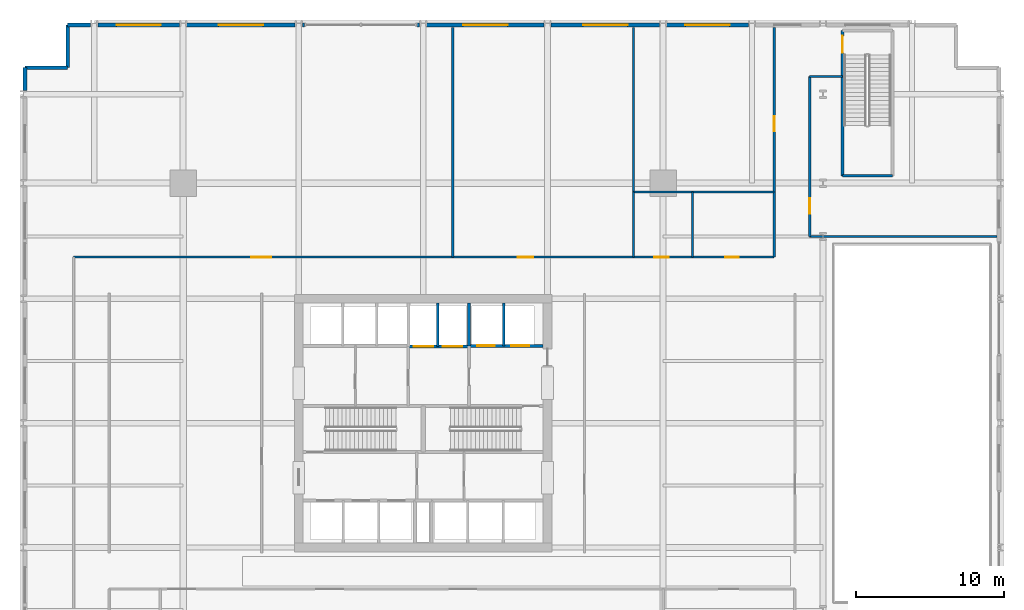
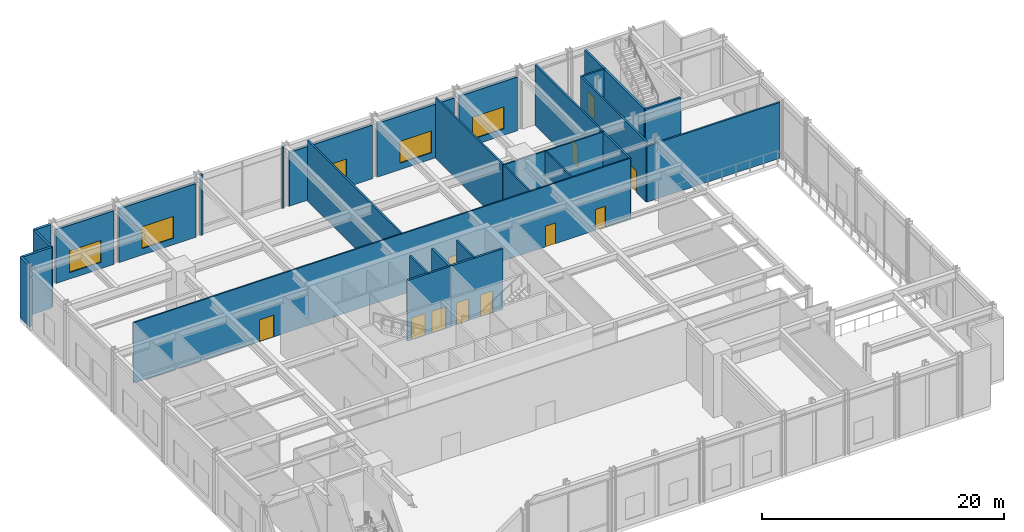
# One storey, part 13 of 20: 28 walls, 11 doors, 5 windows, 16 openings.
"""IFC4 building model written with IfcOpenShell, lengths in metres."""

from ifc_helpers import new_model, si_unit, direction, frame, frame_2d, origin, place, context, subcontext, project, spatial, rectangle, extrude, material, layer, layer_set, type_object, element, fill, save


model = new_model("IFC4")

# Units and contexts
model_context = context("Model", 3, precision=1e-05, world=origin(), true_north=direction((0.0, 1.0)))
body_context = subcontext(model_context, "Body", "Model", "MODEL_VIEW")
ifc_project = project(units=[si_unit("LENGTHUNIT", "METRE"), si_unit("AREAUNIT", "SQUARE_METRE"), si_unit("VOLUMEUNIT", "CUBIC_METRE"), si_unit("PLANEANGLEUNIT", "RADIAN"), si_unit("MASSUNIT", "GRAM", prefix="KILO")], contexts=[model_context])

# Site, building, storey
site_placement = place(None, origin())
site = spatial("IfcSite", under=ifc_project, at=site_placement, CompositionType="ELEMENT")
building_placement = place(site_placement, origin())
building = spatial("IfcBuilding", under=site, at=building_placement, Name="Drelvath Grand Hotel", CompositionType="ELEMENT")
storey_placement = place(building_placement, frame((0.0, 0.0, 10.800048828125)))
storey = spatial("IfcBuildingStorey", under=building, at=storey_placement, Name="L02", CompositionType="ELEMENT", Elevation=10.800048828125)

# Wall, openings, doors
ifc_material_1 = material(Name="Concrete C40/50", Category="concrete")
ifc_layer_1 = layer(ifc_material_1, 0.199951171875)
ifc_layer_set_1 = layer_set([ifc_layer_1], Name="Concrete C40/50")
wall_type_1 = type_object("IfcWallType", Name="Core Hoistway Fire Wall 200", PredefinedType="SOLIDWALL", material=ifc_layer_set_1)
wall_1_placement = place(storey_placement, frame((3.10009765625, 32.219970703125, 0.0), z_axis=(0.0, 0.0, 1.0), x_axis=(1.0, 0.0, 0.0)))
wall_1 = element("IfcWall", 1, at=wall_1_placement, inside=storey, type_object=wall_type_1, Name="L02 FSAE Hoistway Front Wall", PredefinedType="SOLIDWALL", context=body_context, shape_type="SweptSolid", body=[
    extrude(rectangle(XDim=5.0, YDim=0.199951171875, at=frame_2d((2.5, 0.0))), origin(), (0.0, 0.0, 1.0), 6.099853515625),
])
opening_1_placement = place(wall_1_placement, frame((0.550048828125, 0.0, 0.0)))
opening_1 = element("IfcOpeningElement", 2, at=opening_1_placement, cuts=wall_1, Name="Opening LD-FSAE-1", PredefinedType="OPENING", context=body_context, shape_type="SweptSolid", body=[
    extrude(rectangle(XDim=1.199951171875, YDim=2.199951171875, at=frame_2d((0.60009765625, 1.10009765625))), frame((0.0, 0.10986328125, 0.0), z_axis=(0.0, -1.0, 0.0), x_axis=(1.0, 0.0, 0.0)), (0.0, 0.0, 1.0), 0.219970703125),
])
opening_2_placement = place(wall_1_placement, frame((2.85009765625, 0.0, 0.0)))
opening_2 = element("IfcOpeningElement", 3, at=opening_2_placement, cuts=wall_1, Name="Opening LD-FSAE-2", PredefinedType="OPENING", context=body_context, shape_type="SweptSolid", body=[
    extrude(rectangle(XDim=1.199951171875, YDim=2.199951171875, at=frame_2d((0.60009765625, 1.10009765625))), frame((0.0, 0.10986328125, 0.0), z_axis=(0.0, -1.0, 0.0), x_axis=(1.0, 0.0, 0.0)), (0.0, 0.0, 1.0), 0.219970703125),
])
ifc_material_2 = material(Name="Stainless Steel S355", Category="steel")
door_type_1 = type_object("IfcDoorType", Name="FSAE Lift Sliding Landing Door 1200x2200", OperationType="NOTDEFINED", PredefinedType="DOOR", material=ifc_material_2)
door_1_placement = place(opening_1_placement, origin())
door_1 = element("IfcDoor", 4, at=door_1_placement, inside=storey, type_object=door_type_1, Name="L02 Lift FSAE-1 Landing Door", OperationType="SLIDING_TO_LEFT", OverallHeight=2.199951171875, OverallWidth=1.199951171875, PredefinedType="DOOR", context=body_context, shape_type="SweptSolid", body=[
    extrude(rectangle(XDim=1.199951171875, YDim=2.199951171875, at=frame_2d((0.60009765625, 1.10009765625))), frame((0.0, 0.02490234375, 0.0), z_axis=(0.0, -1.0, 0.0), x_axis=(1.0, 0.0, 0.0)), (0.0, 0.0, 1.0), 0.050048828125),
])
fill(opening_1, door_1)
door_2_placement = place(opening_2_placement, origin())
door_2 = element("IfcDoor", 5, at=door_2_placement, inside=storey, type_object=door_type_1, Name="L02 Lift FSAE-2 Landing Door", OperationType="SLIDING_TO_LEFT", OverallHeight=2.199951171875, OverallWidth=1.199951171875, PredefinedType="DOOR", context=body_context, shape_type="SweptSolid", body=[
    extrude(rectangle(XDim=1.199951171875, YDim=2.199951171875, at=frame_2d((0.60009765625, 1.10009765625))), frame((0.0, 0.02490234375, 0.0), z_axis=(0.0, -1.0, 0.0), x_axis=(1.0, 0.0, 0.0)), (0.0, 0.0, 1.0), 0.050048828125),
])
fill(opening_2, door_2)

# Wall
wall_2_placement = place(storey_placement, frame((3.10009765625, 32.219970703125, 0.0), z_axis=(0.0, 0.0, 1.0), x_axis=(0.0, 1.0, 0.0)))
element("IfcWall", 6, at=wall_2_placement, inside=storey, type_object=wall_type_1, Name="L02 FSAE Hoistway West Wall", PredefinedType="SOLIDWALL", context=body_context, shape_type="SweptSolid", body=[
    extrude(rectangle(XDim=2.880126953125, YDim=0.199951171875, at=frame_2d((1.43994140625, 0.0))), origin(), (0.0, 0.0, 1.0), 6.099853515625),
])

# Wall, openings, doors
wall_3_placement = place(storey_placement, frame((-1.0, 32.179931640625, 0.0), z_axis=(0.0, 0.0, 1.0), x_axis=(1.0, 0.0, 0.0)))
wall_3 = element("IfcWall", 7, at=wall_3_placement, inside=storey, type_object=wall_type_1, Name="L02 Service Lift Hoistway Wall", PredefinedType="SOLIDWALL", context=body_context, shape_type="SweptSolid", body=[
    extrude(rectangle(XDim=4.10009765625, YDim=0.199951171875, at=frame_2d((2.050048828125, 0.0))), origin(), (0.0, 0.0, 1.0), 6.099853515625),
])
opening_3_placement = place(wall_3_placement, frame((0.3701171875, 0.0, 0.0)))
opening_3 = element("IfcOpeningElement", 8, at=opening_3_placement, cuts=wall_3, Name="Opening LD-SV-2", PredefinedType="OPENING", context=body_context, shape_type="SweptSolid", body=[
    extrude(rectangle(XDim=1.300048828125, YDim=2.199951171875, at=frame_2d((0.64990234375, 1.10009765625))), frame((0.0, 0.10986328125, 0.0), z_axis=(0.0, -1.0, 0.0), x_axis=(1.0, 0.0, 0.0)), (0.0, 0.0, 1.0), 0.219970703125),
])
opening_4_placement = place(wall_3_placement, frame((2.330078125, 0.0, 0.0)))
opening_4 = element("IfcOpeningElement", 9, at=opening_4_placement, cuts=wall_3, Name="Opening LD-SV-1", PredefinedType="OPENING", context=body_context, shape_type="SweptSolid", body=[
    extrude(rectangle(XDim=1.300048828125, YDim=2.199951171875, at=frame_2d((0.64990234375, 1.10009765625))), frame((0.0, 0.10986328125, 0.0), z_axis=(0.0, -1.0, 0.0), x_axis=(1.0, 0.0, 0.0)), (0.0, 0.0, 1.0), 0.219970703125),
])
door_type_2 = type_object("IfcDoorType", Name="Service Lift Sliding Landing Door 1300x2200", OperationType="NOTDEFINED", PredefinedType="DOOR", material=ifc_material_2)
door_3_placement = place(opening_3_placement, origin())
door_3 = element("IfcDoor", 10, at=door_3_placement, inside=storey, type_object=door_type_2, Name="L02 Lift SV-2 Landing Door", OperationType="SLIDING_TO_LEFT", OverallHeight=2.199951171875, OverallWidth=1.300048828125, PredefinedType="DOOR", context=body_context, shape_type="SweptSolid", body=[
    extrude(rectangle(XDim=1.300048828125, YDim=2.199951171875, at=frame_2d((0.64990234375, 1.10009765625))), frame((0.0, 0.02490234375, 0.0), z_axis=(0.0, -1.0, 0.0), x_axis=(1.0, 0.0, 0.0)), (0.0, 0.0, 1.0), 0.050048828125),
])
fill(opening_3, door_3)
door_4_placement = place(opening_4_placement, origin())
door_4 = element("IfcDoor", 11, at=door_4_placement, inside=storey, type_object=door_type_2, Name="L02 Lift SV-1 Landing Door", OperationType="SLIDING_TO_LEFT", OverallHeight=2.199951171875, OverallWidth=1.300048828125, PredefinedType="DOOR", context=body_context, shape_type="SweptSolid", body=[
    extrude(rectangle(XDim=1.300048828125, YDim=2.199951171875, at=frame_2d((0.64990234375, 1.10009765625))), frame((0.0, 0.02490234375, 0.0), z_axis=(0.0, -1.0, 0.0), x_axis=(1.0, 0.0, 0.0)), (0.0, 0.0, 1.0), 0.050048828125),
])
fill(opening_4, door_4)

# Wall, opening, door
ifc_layer_2 = layer(ifc_material_1, 0.199951171875)
ifc_layer_set_2 = layer_set([ifc_layer_2], Name="Concrete C40/50")
wall_type_2 = type_object("IfcWallType", Name="Core Shaft Fire Wall 200", PredefinedType="SOLIDWALL", material=ifc_layer_set_2)
wall_4_placement = place(storey_placement, frame((28.320068359375, 43.699951171875, 0.0), z_axis=(0.0, 0.0, 1.0), x_axis=(0.0, 1.0, 0.0)))
wall_4 = element("IfcWall", 12, at=wall_4_placement, inside=storey, type_object=wall_type_2, Name="L02 Stair ST-4 West Wall", PredefinedType="SOLIDWALL", context=body_context, shape_type="SweptSolid", body=[
    extrude(rectangle(XDim=9.800048828125, YDim=0.199951171875, at=frame_2d((4.89990234375, 0.0))), origin(), (0.0, 0.0, 1.0), 6.099853515625),
])
opening_5_placement = place(wall_4_placement, frame((8.300048828125, 0.0, 0.0)))
opening_5 = element("IfcOpeningElement", 13, at=opening_5_placement, cuts=wall_4, Name="Opening D-L02-018", PredefinedType="OPENING", context=body_context, shape_type="SweptSolid", body=[
    extrude(rectangle(XDim=1.14990234375, YDim=2.14990234375, at=frame_2d((0.574951171875, 1.074951171875))), frame((0.0, 0.10986328125, 0.0), z_axis=(0.0, -1.0, 0.0), x_axis=(1.0, 0.0, 0.0)), (0.0, 0.0, 1.0), 0.219970703125),
])
ifc_material_3 = material(Name="Painted Steel S275", Category="steel")
door_type_3 = type_object("IfcDoorType", Name="Podium Stairwell Fire Door 1150x2150", OperationType="NOTDEFINED", PredefinedType="DOOR", material=ifc_material_3)
door_5_placement = place(opening_5_placement, origin())
door_5 = element("IfcDoor", 14, at=door_5_placement, inside=storey, type_object=door_type_3, Name="L02 Exit Stair ST-4 Entry Door", OperationType="SINGLE_SWING_RIGHT", OverallHeight=2.14990234375, OverallWidth=1.14990234375, PredefinedType="DOOR", context=body_context, shape_type="SweptSolid", body=[
    extrude(rectangle(XDim=1.14990234375, YDim=2.14990234375, at=frame_2d((0.574951171875, 1.074951171875))), frame((0.0, 0.02490234375, 0.0), z_axis=(0.0, -1.0, 0.0), x_axis=(1.0, 0.0, 0.0)), (0.0, 0.0, 1.0), 0.050048828125),
])
fill(opening_5, door_5)

# Walls
wall_5_placement = place(storey_placement, frame((28.320068359375, 43.699951171875, 0.0), z_axis=(0.0, 0.0, 1.0), x_axis=(1.0, 0.0, 0.0)))
element("IfcWall", 15, at=wall_5_placement, inside=storey, type_object=wall_type_2, Name="L02 Stair ST-4 South Wall", PredefinedType="SOLIDWALL", context=body_context, shape_type="SweptSolid", body=[
    extrude(rectangle(XDim=3.35986328125, YDim=0.199951171875, at=frame_2d((1.679931640625, 0.0))), origin(), (0.0, 0.0, 1.0), 6.099853515625),
])
ifc_material_4 = material(Name="Gypsum Fireboard Partition")
ifc_layer_3 = layer(ifc_material_4, 0.1650390625)
ifc_layer_set_3 = layer_set([ifc_layer_3], Name="Gypsum Fireboard Partition")
wall_type_3 = type_object("IfcWallType", Name="Core Shaft Partition 165", PredefinedType="PARTITIONING", material=ifc_layer_set_3)
wall_6_placement = place(storey_placement, frame((5.449951171875, 32.219970703125, 0.0), z_axis=(0.0, 0.0, 1.0), x_axis=(0.0, 1.0, 0.0)))
element("IfcWall", 16, at=wall_6_placement, inside=storey, type_object=wall_type_3, Name="L02 FSAE Hoistway Divider", PredefinedType="PARTITIONING", context=body_context, shape_type="SweptSolid", body=[
    extrude(rectangle(XDim=2.880126953125, YDim=0.1650390625, at=frame_2d((1.43994140625, 0.0))), origin(), (0.0, 0.0, 1.0), 6.099853515625),
])
wall_7_placement = place(storey_placement, frame((1.0, 32.179931640625, 0.0), z_axis=(0.0, 0.0, 1.0), x_axis=(0.0, 1.0, 0.0)))
element("IfcWall", 17, at=wall_7_placement, inside=storey, type_object=wall_type_3, Name="L02 Service Lift Divider", PredefinedType="PARTITIONING", context=body_context, shape_type="SweptSolid", body=[
    extrude(rectangle(XDim=2.920166015625, YDim=0.1650390625, at=frame_2d((1.4599609375, 0.0))), origin(), (0.0, 0.0, 1.0), 6.099853515625),
])

# Wall, openings, doors
ifc_layer_4 = layer(ifc_material_4, 0.135009765625)
ifc_layer_set_4 = layer_set([ifc_layer_4], Name="Gypsum Fireboard Partition")
wall_type_4 = type_object("IfcWallType", Name="Corridor Fire Barrier Wall 135", PredefinedType="PARTITIONING", material=ifc_layer_set_4)
wall_8_placement = place(storey_placement, frame((-23.60009765625, 38.199951171875, 0.0), z_axis=(0.0, 0.0, 1.0), x_axis=(1.0, 0.0, 0.0)))
wall_8 = element("IfcWall", 18, at=wall_8_placement, inside=storey, type_object=wall_type_4, Name="L02 North Gallery Wall", PredefinedType="PARTITIONING", context=body_context, shape_type="SweptSolid", body=[
    extrude(rectangle(XDim=47.300048828125, YDim=0.135009765625, at=frame_2d((23.64990234375, 0.0))), origin(), (0.0, 0.0, 1.0), 6.099853515625),
])
opening_6_placement = place(wall_8_placement, frame((39.199951171875, 0.0, 0.0)))
opening_6 = element("IfcOpeningElement", 19, at=opening_6_placement, cuts=wall_8, Name="Opening D-L02-020", PredefinedType="OPENING", context=body_context, shape_type="SweptSolid", body=[
    extrude(rectangle(XDim=0.97998046875, YDim=2.10009765625, at=frame_2d((0.489990234375, 1.050048828125))), frame((0.0, 0.077392578125, 0.0), z_axis=(0.0, -1.0, 0.0), x_axis=(1.0, 0.0, 0.0)), (0.0, 0.0, 1.0), 0.155029296875),
])
opening_7_placement = place(wall_8_placement, frame((44.0, 0.0, 0.0)))
opening_7 = element("IfcOpeningElement", 20, at=opening_7_placement, cuts=wall_8, Name="Opening D-L02-021", PredefinedType="OPENING", context=body_context, shape_type="SweptSolid", body=[
    extrude(rectangle(XDim=0.919921875, YDim=2.10009765625, at=frame_2d((0.4599609375, 1.050048828125))), frame((0.0, 0.077392578125, 0.0), z_axis=(0.0, -1.0, 0.0), x_axis=(1.0, 0.0, 0.0)), (0.0, 0.0, 1.0), 0.155029296875),
])
opening_8_placement = place(wall_8_placement, frame((12.0, 0.0, 0.0)))
opening_8 = element("IfcOpeningElement", 21, at=opening_8_placement, cuts=wall_8, Name="Opening D-L02-028", PredefinedType="OPENING", context=body_context, shape_type="SweptSolid", body=[
    extrude(rectangle(XDim=1.360107421875, YDim=2.199951171875, at=frame_2d((0.68017578125, 1.10009765625))), frame((0.0, 0.077392578125, 0.0), z_axis=(0.0, -1.0, 0.0), x_axis=(1.0, 0.0, 0.0)), (0.0, 0.0, 1.0), 0.155029296875),
])
opening_9_placement = place(wall_8_placement, frame((30.0, 0.0, 0.0)))
opening_9 = element("IfcOpeningElement", 22, at=opening_9_placement, cuts=wall_8, Name="Opening D-L02-029", PredefinedType="OPENING", context=body_context, shape_type="SweptSolid", body=[
    extrude(rectangle(XDim=1.02001953125, YDim=2.14990234375, at=frame_2d((0.510009765625, 1.074951171875))), frame((0.0, 0.077392578125, 0.0), z_axis=(0.0, -1.0, 0.0), x_axis=(1.0, 0.0, 0.0)), (0.0, 0.0, 1.0), 0.155029296875),
])
ifc_material_5 = material(Name="Hardwood Walnut Timber", Category="wood")
door_type_4 = type_object("IfcDoorType", Name="Accessible WC Door 980x2100", OperationType="NOTDEFINED", PredefinedType="DOOR", material=ifc_material_5)
door_6_placement = place(opening_6_placement, origin())
door_6 = element("IfcDoor", 23, at=door_6_placement, inside=storey, type_object=door_type_4, Name="L02 Accessible WC Door", OperationType="SINGLE_SWING_LEFT", OverallHeight=2.10009765625, OverallWidth=0.97998046875, PredefinedType="DOOR", context=body_context, shape_type="SweptSolid", body=[
    extrude(rectangle(XDim=0.97998046875, YDim=2.10009765625, at=frame_2d((0.489990234375, 1.050048828125))), frame((0.0, 0.02490234375, 0.0), z_axis=(0.0, -1.0, 0.0), x_axis=(1.0, 0.0, 0.0)), (0.0, 0.0, 1.0), 0.050048828125),
])
fill(opening_6, door_6)
door_type_5 = type_object("IfcDoorType", Name="Amenity Meeting Fire Door 1020x2150", OperationType="NOTDEFINED", PredefinedType="DOOR", material=ifc_material_5)
door_7_placement = place(opening_9_placement, origin())
door_7 = element("IfcDoor", 24, at=door_7_placement, inside=storey, type_object=door_type_5, Name="L02 Event Office Door", OperationType="SINGLE_SWING_LEFT", OverallHeight=2.14990234375, OverallWidth=1.02001953125, PredefinedType="DOOR", context=body_context, shape_type="SweptSolid", body=[
    extrude(rectangle(XDim=1.02001953125, YDim=2.14990234375, at=frame_2d((0.510009765625, 1.074951171875))), frame((0.0, 0.02490234375, 0.0), z_axis=(0.0, -1.0, 0.0), x_axis=(1.0, 0.0, 0.0)), (0.0, 0.0, 1.0), 0.050048828125),
])
fill(opening_9, door_7)
door_type_6 = type_object("IfcDoorType", Name="Plant Equipment Double Fire Door 1360x2200", OperationType="NOTDEFINED", PredefinedType="DOOR", material=ifc_material_3)
door_8_placement = place(opening_8_placement, origin())
door_8 = element("IfcDoor", 25, at=door_8_placement, inside=storey, type_object=door_type_6, Name="L02 Banquet Kitchen Door", OperationType="SINGLE_SWING_RIGHT", OverallHeight=2.199951171875, OverallWidth=1.360107421875, PredefinedType="DOOR", context=body_context, shape_type="SweptSolid", body=[
    extrude(rectangle(XDim=1.360107421875, YDim=2.199951171875, at=frame_2d((0.68017578125, 1.10009765625))), frame((0.0, 0.02490234375, 0.0), z_axis=(0.0, -1.0, 0.0), x_axis=(1.0, 0.0, 0.0)), (0.0, 0.0, 1.0), 0.050048828125),
])
fill(opening_8, door_8)
door_type_7 = type_object("IfcDoorType", Name="Staff Utility Door 920x2100", OperationType="NOTDEFINED", PredefinedType="DOOR", material=ifc_material_3)
door_9_placement = place(opening_7_placement, origin())
door_9 = element("IfcDoor", 26, at=door_9_placement, inside=storey, type_object=door_type_7, Name="L02 Public Restroom Door", OperationType="SINGLE_SWING_RIGHT", OverallHeight=2.10009765625, OverallWidth=0.919921875, PredefinedType="DOOR", context=body_context, shape_type="SweptSolid", body=[
    extrude(rectangle(XDim=0.919921875, YDim=2.10009765625, at=frame_2d((0.4599609375, 1.050048828125))), frame((0.0, 0.02490234375, 0.0), z_axis=(0.0, -1.0, 0.0), x_axis=(1.0, 0.0, 0.0)), (0.0, 0.0, 1.0), 0.050048828125),
])
fill(opening_7, door_9)

# Walls
ifc_material_6 = material(Name="Moisture-Resistant Gypsum Board")
ifc_layer_5 = layer(ifc_material_6, 0.139892578125)
ifc_layer_set_5 = layer_set([ifc_layer_5], Name="Moisture-Resistant Gypsum Board")
wall_type_5 = type_object("IfcWallType", Name="En-Suite Plumbing Wall 140", PredefinedType="PLUMBINGWALL", material=ifc_layer_set_5)
for number, where, z_axis, x_axis, name in (
    (27, (14.199951171875, 38.199951171875, 0.0), (0.0, 0.0, 1.0), (0.0, 1.0, 0.0), "L02 Restroom West Wall"),
    (28, (18.199951171875, 38.199951171875, 0.0), (0.0, 0.0, 1.0), (0.0, 1.0, 0.0), "L02 Restroom Split Wall"),
):
    element("IfcWall", number, at=place(storey_placement, frame(where, z_axis=z_axis, x_axis=x_axis)), inside=storey, type_object=wall_type_5, Name=name, PredefinedType="PLUMBINGWALL", context=body_context, shape_type="SweptSolid", body=[
        extrude(rectangle(XDim=4.400146484375, YDim=0.139892578125, at=frame_2d((2.2001953125, 0.0))), origin(), (0.0, 0.0, 1.0), 6.099853515625),
    ])
wall_9_placement = place(storey_placement, frame((14.199951171875, 42.60009765625, 0.0), z_axis=(0.0, 0.0, 1.0), x_axis=(1.0, 0.0, 0.0)))
element("IfcWall", 29, at=wall_9_placement, inside=storey, type_object=wall_type_5, Name="L02 Restroom North Back Wall", PredefinedType="PLUMBINGWALL", context=body_context, shape_type="SweptSolid", body=[
    extrude(rectangle(XDim=9.5, YDim=0.139892578125, at=frame_2d((4.75, 0.0))), origin(), (0.0, 0.0, 1.0), 6.099853515625),
])
ifc_material_7 = material(Name="Gypsum Acoustic Partition")
ifc_layer_6 = layer(ifc_material_7, 0.14990234375)
ifc_layer_set_6 = layer_set([ifc_layer_6], Name="Gypsum Acoustic Partition")
wall_type_6 = type_object("IfcWallType", Name="Guestroom Demising Wall 150", PredefinedType="PARTITIONING", material=ifc_layer_set_6)
wall_10_placement = place(storey_placement, frame((14.199951171875, 42.60009765625, 0.0), z_axis=(0.0, 0.0, 1.0), x_axis=(0.0, 1.0, 0.0)))
element("IfcWall", 30, at=wall_10_placement, inside=storey, type_object=wall_type_6, Name="L02 North Corner Boardroom Wall", PredefinedType="PARTITIONING", context=body_context, shape_type="SweptSolid", body=[
    extrude(rectangle(XDim=11.099853515625, YDim=0.14990234375, at=frame_2d((5.5498046875, 0.0))), origin(), (0.0, 0.0, 1.0), 6.099853515625),
])
ifc_material_8 = material(Name="Insulated Granite Rainscreen Assembly", Category="masonry")
ifc_layer_7 = layer(ifc_material_8, 0.239990234375)
ifc_layer_set_7 = layer_set([ifc_layer_7], Name="Insulated Granite Rainscreen Assembly")
wall_type_7 = type_object("IfcWallType", Name="Podium Granite Rainscreen Exterior Wall 240", PredefinedType="STANDARD", material=ifc_layer_set_7)
for number, where, z_axis, x_axis, name in (
    (31, (-26.8798828125, 49.44091796875, 0.0), (0.0, 0.0, 1.0), (0.0, 1.0, 0.0), "L02 West Podium Granite Wall 8"),
    (32, (-24.0, 53.8798828125, 0.0), (0.0, 0.0, 1.0), (1.0, 0.0, 0.0), "L02 North Podium Granite Wall 1"),
):
    element("IfcWall", number, at=place(storey_placement, frame(where, z_axis=z_axis, x_axis=x_axis)), inside=storey, type_object=wall_type_7, Name=name, PredefinedType="STANDARD", context=body_context, shape_type="SweptSolid", body=[
        extrude(rectangle(XDim=1.55908203125, YDim=0.239990234375, at=frame_2d((0.779541015625, 0.0))), origin(), (0.0, 0.0, 1.0), 6.099853515625),
    ])

# Wall, opening, window
wall_11_placement = place(storey_placement, frame((-21.958984375, 53.8798828125, 0.0), z_axis=(0.0, 0.0, 1.0), x_axis=(1.0, 0.0, 0.0)))
wall_11 = element("IfcWall", 33, at=wall_11_placement, inside=storey, type_object=wall_type_7, Name="L02 North Podium Granite Wall 2", PredefinedType="STANDARD", context=body_context, shape_type="SweptSolid", body=[
    extrude(rectangle(XDim=5.51806640625, YDim=0.239990234375, at=frame_2d((2.759033203125, 0.0))), origin(), (0.0, 0.0, 1.0), 5.404296875),
])
opening_10_placement = place(wall_11_placement, frame((1.259033203125, 0.0, 0.64990234375)))
opening_10 = element("IfcOpeningElement", 34, at=opening_10_placement, cuts=wall_11, Name="Opening W-03", PredefinedType="OPENING", context=body_context, shape_type="SweptSolid", body=[
    extrude(rectangle(XDim=3.0, YDim=2.199951171875, at=frame_2d((1.5, 1.10009765625))), frame((0.0, 0.1298828125, 0.0), z_axis=(0.0, -1.0, 0.0), x_axis=(1.0, 0.0, 0.0)), (0.0, 0.0, 1.0), 0.260009765625),
])
ifc_material_9 = material(Name="Bronze Anodised Low-E Triple Glazing", Category="glass")
window_type = type_object("IfcWindowType", Name="Podium Clerestory Ribbon Window 3000x2200", PartitioningType="TRIPLE_PANEL_VERTICAL", PredefinedType="WINDOW", material=ifc_material_9)
window_1_placement = place(opening_10_placement, origin())
window_1 = element("IfcWindow", 35, at=window_1_placement, inside=storey, type_object=window_type, Name="L02 North Chicago Window 2", OverallHeight=2.199951171875, OverallWidth=3.0, PartitioningType="SINGLE_PANEL", PredefinedType="WINDOW", context=body_context, shape_type="SweptSolid", body=[
    extrude(rectangle(XDim=3.0, YDim=2.199951171875, at=frame_2d((1.5, 1.10009765625))), frame((0.0, 0.030029296875, 0.0), z_axis=(0.0, -1.0, 0.0), x_axis=(1.0, 0.0, 0.0)), (0.0, 0.0, 1.0), 0.06005859375),
])
fill(opening_10, window_1)

wall_12_placement = place(storey_placement, frame((-15.958984375, 53.8798828125, 0.0), z_axis=(0.0, 0.0, 1.0), x_axis=(1.0, 0.0, 0.0)))
wall_12 = element("IfcWall", 36, at=wall_12_placement, inside=storey, type_object=wall_type_7, Name="L02 North Podium Granite Wall 3", PredefinedType="STANDARD", context=body_context, shape_type="SweptSolid", body=[
    extrude(rectangle(XDim=7.318115234375, YDim=0.239990234375, at=frame_2d((3.6591796875, 0.0))), origin(), (0.0, 0.0, 1.0), 5.404296875),
])
opening_11_placement = place(wall_12_placement, frame((2.1591796875, 0.0, 0.64990234375)))
opening_11 = element("IfcOpeningElement", 37, at=opening_11_placement, cuts=wall_12, Name="Opening W-03", PredefinedType="OPENING", context=body_context, shape_type="SweptSolid", body=[
    extrude(rectangle(XDim=3.0, YDim=2.199951171875, at=frame_2d((1.5, 1.10009765625))), frame((0.0, 0.1298828125, 0.0), z_axis=(0.0, -1.0, 0.0), x_axis=(1.0, 0.0, 0.0)), (0.0, 0.0, 1.0), 0.260009765625),
])
window_2_placement = place(opening_11_placement, origin())
window_2 = element("IfcWindow", 38, at=window_2_placement, inside=storey, type_object=window_type, Name="L02 North Chicago Window 3", OverallHeight=2.199951171875, OverallWidth=3.0, PartitioningType="SINGLE_PANEL", PredefinedType="WINDOW", context=body_context, shape_type="SweptSolid", body=[
    extrude(rectangle(XDim=3.0, YDim=2.199951171875, at=frame_2d((1.5, 1.10009765625))), frame((0.0, 0.030029296875, 0.0), z_axis=(0.0, -1.0, 0.0), x_axis=(1.0, 0.0, 0.0)), (0.0, 0.0, 1.0), 0.06005859375),
])
fill(opening_11, window_2)

# Walls
wall_13_placement = place(storey_placement, frame((-8.1591796875, 53.8798828125, 0.0), z_axis=(0.0, 0.0, 1.0), x_axis=(1.0, 0.0, 0.0)))
element("IfcWall", 39, at=wall_13_placement, inside=storey, type_object=wall_type_7, Name="L02 North Podium Granite Wall 4", PredefinedType="STANDARD", context=body_context, shape_type="SweptSolid", body=[
    extrude(rectangle(XDim=0.1591796875, YDim=0.239990234375, at=frame_2d((0.07958984375, 0.0))), origin(), (0.0, 0.0, 1.0), 6.099853515625),
])
wall_14_placement = place(storey_placement, frame((-0.39990234375, 53.8798828125, 0.0), z_axis=(0.0, 0.0, 1.0), x_axis=(1.0, 0.0, 0.0)))
element("IfcWall", 40, at=wall_14_placement, inside=storey, type_object=wall_type_7, Name="L02 North Podium Granite Wall 5", PredefinedType="STANDARD", context=body_context, shape_type="SweptSolid", body=[
    extrude(rectangle(XDim=0.158935546875, YDim=0.239990234375, at=frame_2d((0.07958984375, 0.0))), origin(), (0.0, 0.0, 1.0), 6.099853515625),
])

# Wall, opening, window
wall_15_placement = place(storey_placement, frame((0.240966796875, 53.8798828125, 0.0), z_axis=(0.0, 0.0, 1.0), x_axis=(1.0, 0.0, 0.0)))
wall_15 = element("IfcWall", 41, at=wall_15_placement, inside=storey, type_object=wall_type_7, Name="L02 North Podium Granite Wall 6", PredefinedType="STANDARD", context=body_context, shape_type="SweptSolid", body=[
    extrude(rectangle(XDim=7.918212890625, YDim=0.239990234375, at=frame_2d((3.958984375, 0.0))), origin(), (0.0, 0.0, 1.0), 5.404296875),
])
opening_12_placement = place(wall_15_placement, frame((2.458984375, 0.0, 0.64990234375)))
opening_12 = element("IfcOpeningElement", 42, at=opening_12_placement, cuts=wall_15, Name="Opening W-03", PredefinedType="OPENING", context=body_context, shape_type="SweptSolid", body=[
    extrude(rectangle(XDim=3.0, YDim=2.199951171875, at=frame_2d((1.5, 1.10009765625))), frame((0.0, 0.1298828125, 0.0), z_axis=(0.0, -1.0, 0.0), x_axis=(1.0, 0.0, 0.0)), (0.0, 0.0, 1.0), 0.260009765625),
])
window_3_placement = place(opening_12_placement, origin())
window_3 = element("IfcWindow", 43, at=window_3_placement, inside=storey, type_object=window_type, Name="L02 North Chicago Window 6", OverallHeight=2.199951171875, OverallWidth=3.0, PartitioningType="SINGLE_PANEL", PredefinedType="WINDOW", context=body_context, shape_type="SweptSolid", body=[
    extrude(rectangle(XDim=3.0, YDim=2.199951171875, at=frame_2d((1.5, 1.10009765625))), frame((0.0, 0.030029296875, 0.0), z_axis=(0.0, -1.0, 0.0), x_axis=(1.0, 0.0, 0.0)), (0.0, 0.0, 1.0), 0.06005859375),
])
fill(opening_12, window_3)

wall_16_placement = place(storey_placement, frame((8.640869140625, 53.8798828125, 0.0), z_axis=(0.0, 0.0, 1.0), x_axis=(1.0, 0.0, 0.0)))
wall_16 = element("IfcWall", 44, at=wall_16_placement, inside=storey, type_object=wall_type_7, Name="L02 North Podium Granite Wall 7", PredefinedType="STANDARD", context=body_context, shape_type="SweptSolid", body=[
    extrude(rectangle(XDim=7.318115234375, YDim=0.239990234375, at=frame_2d((3.6591796875, 0.0))), origin(), (0.0, 0.0, 1.0), 5.404296875),
])
opening_13_placement = place(wall_16_placement, frame((2.1591796875, 0.0, 0.64990234375)))
opening_13 = element("IfcOpeningElement", 45, at=opening_13_placement, cuts=wall_16, Name="Opening W-03", PredefinedType="OPENING", context=body_context, shape_type="SweptSolid", body=[
    extrude(rectangle(XDim=3.0, YDim=2.199951171875, at=frame_2d((1.5, 1.10009765625))), frame((0.0, 0.1298828125, 0.0), z_axis=(0.0, -1.0, 0.0), x_axis=(1.0, 0.0, 0.0)), (0.0, 0.0, 1.0), 0.260009765625),
])
window_4_placement = place(opening_13_placement, origin())
window_4 = element("IfcWindow", 46, at=window_4_placement, inside=storey, type_object=window_type, Name="L02 North Chicago Window 7", OverallHeight=2.199951171875, OverallWidth=3.0, PartitioningType="SINGLE_PANEL", PredefinedType="WINDOW", context=body_context, shape_type="SweptSolid", body=[
    extrude(rectangle(XDim=3.0, YDim=2.199951171875, at=frame_2d((1.5, 1.10009765625))), frame((0.0, 0.030029296875, 0.0), z_axis=(0.0, -1.0, 0.0), x_axis=(1.0, 0.0, 0.0)), (0.0, 0.0, 1.0), 0.06005859375),
])
fill(opening_13, window_4)

wall_17_placement = place(storey_placement, frame((16.44091796875, 53.8798828125, 0.0), z_axis=(0.0, 0.0, 1.0), x_axis=(1.0, 0.0, 0.0)))
wall_17 = element("IfcWall", 47, at=wall_17_placement, inside=storey, type_object=wall_type_7, Name="L02 North Podium Granite Wall 8", PredefinedType="STANDARD", context=body_context, shape_type="SweptSolid", body=[
    extrude(rectangle(XDim=5.51806640625, YDim=0.239990234375, at=frame_2d((2.759033203125, 0.0))), origin(), (0.0, 0.0, 1.0), 5.404296875),
])
opening_14_placement = place(wall_17_placement, frame((1.259033203125, 0.0, 0.64990234375)))
opening_14 = element("IfcOpeningElement", 48, at=opening_14_placement, cuts=wall_17, Name="Opening W-03", PredefinedType="OPENING", context=body_context, shape_type="SweptSolid", body=[
    extrude(rectangle(XDim=3.0, YDim=2.199951171875, at=frame_2d((1.5, 1.10009765625))), frame((0.0, 0.1298828125, 0.0), z_axis=(0.0, -1.0, 0.0), x_axis=(1.0, 0.0, 0.0)), (0.0, 0.0, 1.0), 0.260009765625),
])
window_5_placement = place(opening_14_placement, origin())
window_5 = element("IfcWindow", 49, at=window_5_placement, inside=storey, type_object=window_type, Name="L02 North Chicago Window 8", OverallHeight=2.199951171875, OverallWidth=3.0, PartitioningType="SINGLE_PANEL", PredefinedType="WINDOW", context=body_context, shape_type="SweptSolid", body=[
    extrude(rectangle(XDim=3.0, YDim=2.199951171875, at=frame_2d((1.5, 1.10009765625))), frame((0.0, 0.030029296875, 0.0), z_axis=(0.0, -1.0, 0.0), x_axis=(1.0, 0.0, 0.0)), (0.0, 0.0, 1.0), 0.06005859375),
])
fill(opening_14, window_5)

# Walls
for number, where, z_axis, x_axis, name in (
    (50, (-26.8798828125, 51.0, 0.0), (0.0, 0.0, 1.0), (1.0, 0.0, 0.0), "L02 Podium Corner Return Wall CNW1"),
    (51, (-24.0, 51.0, 0.0), (0.0, 0.0, 1.0), (0.0, 1.0, 0.0), "L02 Podium Corner Return Wall CNW2"),
):
    element("IfcWall", number, at=place(storey_placement, frame(where, z_axis=z_axis, x_axis=x_axis)), inside=storey, type_object=wall_type_7, Name=name, PredefinedType="STANDARD", context=body_context, shape_type="SweptSolid", body=[
        extrude(rectangle(XDim=2.8798828125, YDim=0.239990234375, at=frame_2d((1.43994140625, 0.0))), origin(), (0.0, 0.0, 1.0), 6.099853515625),
    ])

# Wall, opening, door
ifc_layer_8 = layer(ifc_material_7, 0.1650390625)
ifc_layer_set_8 = layer_set([ifc_layer_8], Name="Gypsum Acoustic Partition")
wall_type_8 = type_object("IfcWallType", Name="Suite Demising Wall 165", PredefinedType="PARTITIONING", material=ifc_layer_set_8)
wall_18_placement = place(storey_placement, frame((23.699951171875, 38.199951171875, 0.0), z_axis=(0.0, 0.0, 1.0), x_axis=(0.0, 1.0, 0.0)))
wall_18 = element("IfcWall", 52, at=wall_18_placement, inside=storey, type_object=wall_type_8, Name="L02 ST-4 Spur Wall", PredefinedType="PARTITIONING", context=body_context, shape_type="SweptSolid", body=[
    extrude(rectangle(XDim=15.5, YDim=0.1650390625, at=frame_2d((7.75, 0.0))), origin(), (0.0, 0.0, 1.0), 6.099853515625),
])
opening_15_placement = place(wall_18_placement, frame((8.5, 0.0, 0.0)))
opening_15 = element("IfcOpeningElement", 53, at=opening_15_placement, cuts=wall_18, Name="Opening D-L02-019", PredefinedType="OPENING", context=body_context, shape_type="SweptSolid", body=[
    extrude(rectangle(XDim=1.02001953125, YDim=2.14990234375, at=frame_2d((0.510009765625, 1.074951171875))), frame((0.0, 0.092529296875, 0.0), z_axis=(0.0, -1.0, 0.0), x_axis=(1.0, 0.0, 0.0)), (0.0, 0.0, 1.0), 0.18505859375),
])
door_10_placement = place(opening_15_placement, origin())
door_10 = element("IfcDoor", 54, at=door_10_placement, inside=storey, type_object=door_type_5, Name="L02 North Corner Boardroom Door", OperationType="SINGLE_SWING_RIGHT", OverallHeight=2.14990234375, OverallWidth=1.02001953125, PredefinedType="DOOR", context=body_context, shape_type="SweptSolid", body=[
    extrude(rectangle(XDim=1.02001953125, YDim=2.14990234375, at=frame_2d((0.510009765625, 1.074951171875))), frame((0.0, 0.02490234375, 0.0), z_axis=(0.0, -1.0, 0.0), x_axis=(1.0, 0.0, 0.0)), (0.0, 0.0, 1.0), 0.050048828125),
])
fill(opening_15, door_10)

wall_19_placement = place(storey_placement, frame((26.10009765625, 39.60009765625, 0.0), z_axis=(0.0, 0.0, 1.0), x_axis=(0.0, 1.0, 0.0)))
wall_19 = element("IfcWall", 55, at=wall_19_placement, inside=storey, type_object=wall_type_8, Name="L02 ST-4 Spur East Wall", PredefinedType="PARTITIONING", context=body_context, shape_type="SweptSolid", body=[
    extrude(rectangle(XDim=10.7998046875, YDim=0.1650390625, at=frame_2d((5.39990234375, 0.0))), origin(), (0.0, 0.0, 1.0), 6.099853515625),
])
opening_16_placement = place(wall_19_placement, frame((1.550048828125, 0.0, 0.0)))
opening_16 = element("IfcOpeningElement", 56, at=opening_16_placement, cuts=wall_19, Name="Opening D-L02-023", PredefinedType="OPENING", context=body_context, shape_type="SweptSolid", body=[
    extrude(rectangle(XDim=1.02001953125, YDim=2.14990234375, at=frame_2d((0.510009765625, 1.074951171875))), frame((0.0, 0.092529296875, 0.0), z_axis=(0.0, -1.0, 0.0), x_axis=(1.0, 0.0, 0.0)), (0.0, 0.0, 1.0), 0.18505859375),
])
door_11_placement = place(opening_16_placement, origin())
door_11 = element("IfcDoor", 57, at=door_11_placement, inside=storey, type_object=door_type_5, Name="L02 NE Executive Office Door", OperationType="SINGLE_SWING_RIGHT", OverallHeight=2.14990234375, OverallWidth=1.02001953125, PredefinedType="DOOR", context=body_context, shape_type="SweptSolid", body=[
    extrude(rectangle(XDim=1.02001953125, YDim=2.14990234375, at=frame_2d((0.510009765625, 1.074951171875))), frame((0.0, 0.02490234375, 0.0), z_axis=(0.0, -1.0, 0.0), x_axis=(1.0, 0.0, 0.0)), (0.0, 0.0, 1.0), 0.050048828125),
])
fill(opening_16, door_11)

# Walls
wall_20_placement = place(storey_placement, frame((26.10009765625, 50.39990234375, 0.0), z_axis=(0.0, 0.0, 1.0), x_axis=(1.0, 0.0, 0.0)))
element("IfcWall", 58, at=wall_20_placement, inside=storey, type_object=wall_type_8, Name="L02 ST-4 Vestibule South Wall", PredefinedType="PARTITIONING", context=body_context, shape_type="SweptSolid", body=[
    extrude(rectangle(XDim=2.219970703125, YDim=0.1650390625, at=frame_2d((1.10986328125, 0.0))), origin(), (0.0, 0.0, 1.0), 6.099853515625),
])
wall_21_placement = place(storey_placement, frame((26.10009765625, 39.60009765625, 0.0), z_axis=(0.0, 0.0, 1.0), x_axis=(1.0, 0.0, 0.0)))
element("IfcWall", 59, at=wall_21_placement, inside=storey, type_object=wall_type_8, Name="L02 NE Wing South Wall", PredefinedType="PARTITIONING", context=body_context, shape_type="SweptSolid", body=[
    extrude(rectangle(XDim=12.659912109375, YDim=0.1650390625, at=frame_2d((6.330078125, 0.0))), origin(), (0.0, 0.0, 1.0), 5.625),
])
wall_22_placement = place(storey_placement, frame((2.0, 38.199951171875, 0.0), z_axis=(0.0, 0.0, 1.0), x_axis=(0.0, 1.0, 0.0)))
element("IfcWall", 60, at=wall_22_placement, inside=storey, type_object=wall_type_8, Name="L02 Banquet Kitchen Split", PredefinedType="PARTITIONING", context=body_context, shape_type="SweptSolid", body=[
    extrude(rectangle(XDim=15.5, YDim=0.1650390625, at=frame_2d((7.75, 0.0))), origin(), (0.0, 0.0, 1.0), 6.099853515625),
])

save(model, "model.ifc")
